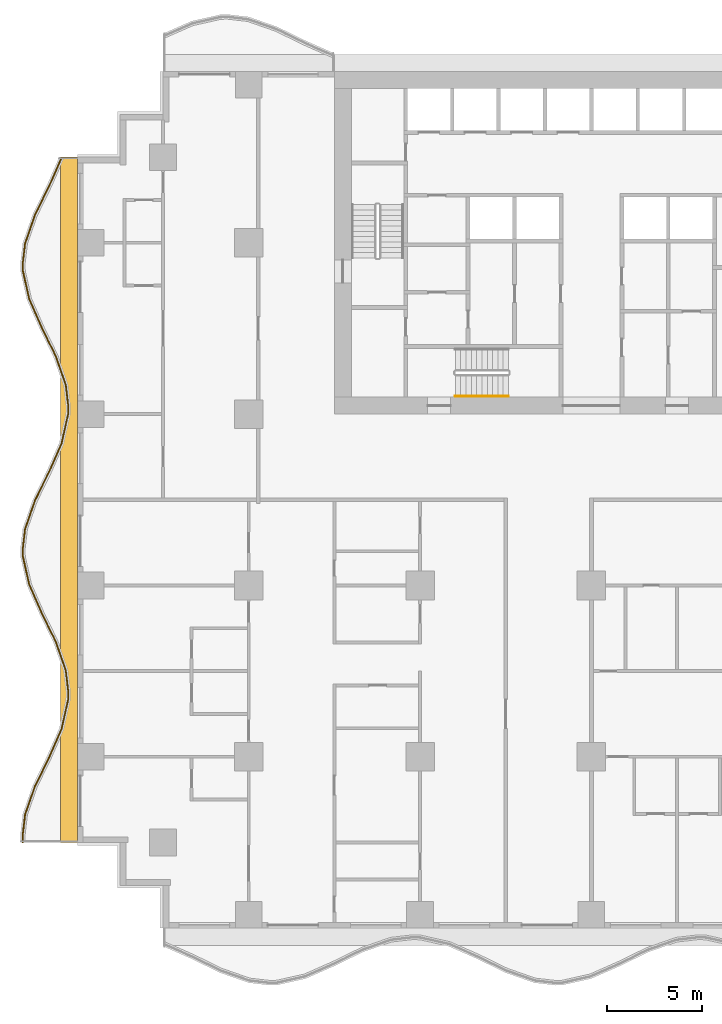
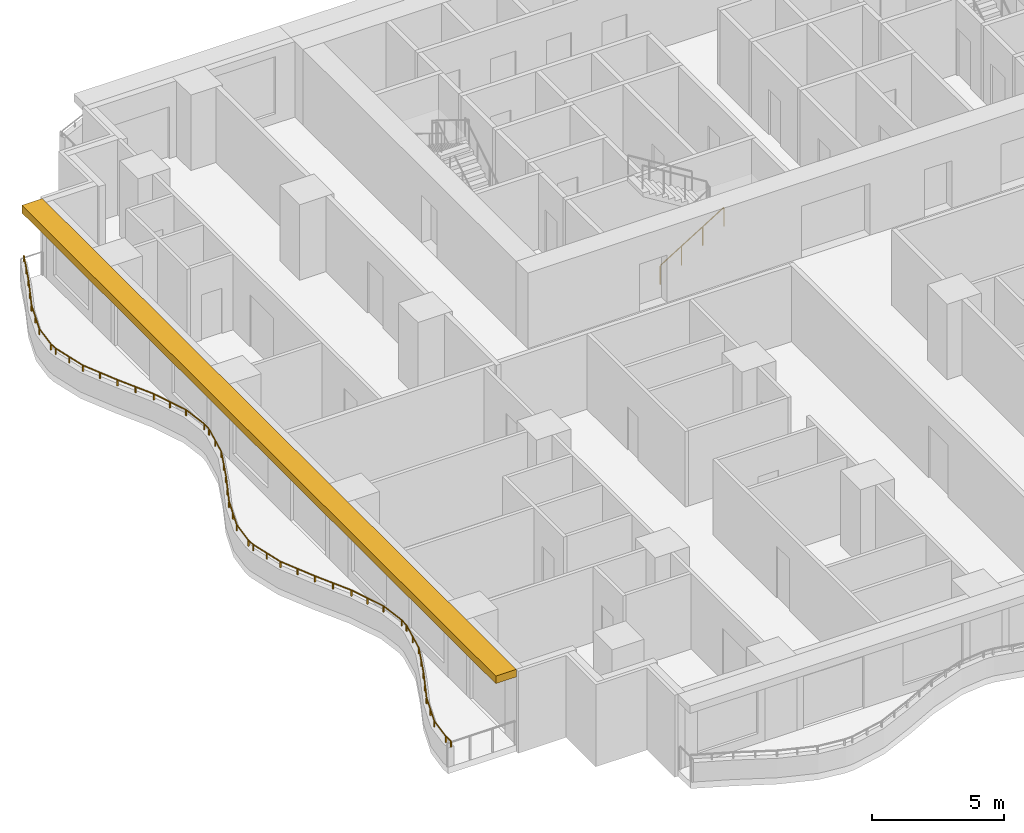
# One storey, part 9 of 14: 2 railings, 1 shading device.
"""IFC4 building model written with IfcOpenShell, lengths in metres."""

from ifc_helpers import new_model, si_unit, direction, frame, origin, origin_2d, place, context, subcontext, project, spatial, polyline, rectangle, circle, outline, extrude, material, layer, layer_set, type_object, element, save


model = new_model("IFC4")

# Units and contexts
model_context = context("Model", 3, precision=1e-05, world=origin(), true_north=direction((0.0, 1.0)))
body_context = subcontext(model_context, "Body", "Model", "MODEL_VIEW")
ifc_project = project(units=[si_unit("LENGTHUNIT", "METRE"), si_unit("AREAUNIT", "SQUARE_METRE"), si_unit("VOLUMEUNIT", "CUBIC_METRE"), si_unit("PLANEANGLEUNIT", "RADIAN"), si_unit("MASSUNIT", "GRAM", prefix="KILO")], contexts=[model_context])

# Site, building, storey
site_placement = place(None, origin())
site = spatial("IfcSite", under=ifc_project, at=site_placement, CompositionType="ELEMENT")
building_placement = place(site_placement, origin())
building = spatial("IfcBuilding", under=site, at=building_placement, Name="Orbiselva Terraces", CompositionType="ELEMENT")
storey_placement = place(building_placement, frame((0.0, 0.0, 41.6)))
storey = spatial("IfcBuildingStorey", under=building, at=storey_placement, Name="L10", CompositionType="ELEMENT", Elevation=41.6)

# Railings
ifc_material_1 = material(Name="Stainless steel", Category="steel")
railing_type_1 = type_object("IfcRailingType", Name="CORE-HANDRAIL-900", PredefinedType="HANDRAIL", material=ifc_material_1)
railing_1_placement = place(storey_placement, frame((-7.15, 5.45, 0.172727)))
element("IfcRailing", 1, at=railing_1_placement, inside=storey, type_object=railing_type_1, Name="L10 S3 stair handrail 1", PredefinedType="HANDRAIL", context=body_context, shape_type="SweptSolid", body=[
    extrude(circle(Radius=0.024, at=origin_2d()), frame((0.0, 0.0, 0.876), z_axis=(0.851088519012, 0.0, 0.52502222125), x_axis=(0.0, 1.0, 0.0)), (0.0, 0.0, 1.0), 3.289905),
    extrude(circle(Radius=0.021, at=origin_2d()), origin(), (0.0, 0.0, 1.0), 0.852),
    extrude(circle(Radius=0.021, at=origin_2d()), frame((0.933333, 0.0, 0.575758)), (0.0, 0.0, 1.0), 0.852),
    extrude(circle(Radius=0.021, at=origin_2d()), frame((1.866667, 0.0, 1.151515)), (0.0, 0.0, 1.0), 0.852),
    extrude(circle(Radius=0.021, at=origin_2d()), frame((2.8, 0.0, 1.727273)), (0.0, 0.0, 1.0), 0.852),
])
ifc_material_2 = material(Name="Bonded two-ply safety glass balustrade, stainless steel posts", Category="steel")
railing_type_2 = type_object("IfcRailingType", Name="ENV-BALUSTRADE-1200", PredefinedType="BALUSTRADE", material=ifc_material_2)
railing_2_placement = place(storey_placement, frame((-27.83708, 17.949606, 0.9)))
element("IfcRailing", 2, at=railing_2_placement, inside=storey, type_object=railing_type_2, Name="Balcony balustrade L10 W", PredefinedType="BALUSTRADE", context=body_context, shape_type="SweptSolid", body=[
    extrude(outline(polyline([(0.028868, 0.0), (0.014434, 0.025), (-0.014434, 0.025), (-0.028868, 0.0), (-0.014434, -0.025), (0.014434, -0.025), (0.028868, 0.0)])), frame((0.0, 0.0, 0.275), z_axis=(-0.403151175476, -0.915133394491, 0.0), x_axis=(0.915133394491, -0.403151175476, 0.0)), (0.0, 0.0, 1.0), 1.641563),
    extrude(outline(polyline([(0.028868, 0.0), (0.014434, 0.025), (-0.014434, 0.025), (-0.028868, 0.0), (-0.014434, -0.025), (0.014434, -0.025), (0.028868, 0.0)])), frame((-0.661798, -1.502249, 0.275), z_axis=(-0.438811978768, -0.89857890432, 0.0), x_axis=(0.89857890432, -0.438811978768, 0.0)), (0.0, 0.0, 1.0), 1.66438),
    extrude(outline(polyline([(0.028868, 0.0), (0.014434, 0.025), (-0.014434, 0.025), (-0.028868, 0.0), (-0.014434, -0.025), (0.014434, -0.025), (0.028868, 0.0)])), frame((-1.392148, -2.997826, 0.275), z_axis=(-0.330024754707, -0.943972277814, 0.0), x_axis=(0.943972277814, -0.330024754707, 0.0)), (0.0, 0.0, 1.0), 1.567807),
    extrude(outline(polyline([(0.028868, 0.0), (0.014434, 0.025), (-0.014434, 0.025), (-0.028868, 0.0), (-0.014434, -0.025), (0.014434, -0.025), (0.028868, 0.0)])), frame((-1.909563, -4.477792, 0.275), z_axis=(-0.115481264762, -0.993309658409, 0.0), x_axis=(0.993309658409, -0.115481264762, 0.0)), (0.0, 0.0, 1.0), 1.10902),
    extrude(outline(polyline([(0.028868, 0.0), (0.014434, 0.025), (-0.014434, 0.025), (-0.028868, 0.0), (-0.014434, -0.025), (0.014434, -0.025), (0.028868, 0.0)])), frame((-2.037634, -5.579392, 0.275), z_axis=(0.039364150694, -0.999224931454, 0.0), x_axis=(0.999224931454, 0.039364150694, 0.0)), (0.0, 0.0, 1.0), 0.354206),
    extrude(outline(polyline([(0.028868, 0.0), (0.014434, 0.025), (-0.014434, 0.025), (-0.028868, 0.0), (-0.014434, -0.025), (0.014434, -0.025), (0.028868, 0.0)])), frame((-2.023691, -5.933323, 0.275), z_axis=(0.219015740235, -0.975721325753, 0.0), x_axis=(0.975721325753, 0.219015740235, 0.0)), (0.0, 0.0, 1.0), 1.513782),
    extrude(outline(polyline([(0.028868, 0.0), (0.014434, 0.025), (-0.014434, 0.025), (-0.028868, 0.0), (-0.014434, -0.025), (0.014434, -0.025), (0.028868, 0.0)])), frame((-1.692149, -7.410352, 0.275), z_axis=(0.403151245402, -0.915133363686, 0.0), x_axis=(0.915133363686, 0.403151245402, 0.0)), (0.0, 0.0, 1.0), 1.624475),
    extrude(outline(polyline([(0.028868, 0.0), (0.014434, 0.025), (-0.014434, 0.025), (-0.028868, 0.0), (-0.014434, -0.025), (0.014434, -0.025), (0.028868, 0.0)])), frame((-1.03724, -8.896963, 0.275), z_axis=(0.438812048596, -0.898578870221, 0.0), x_axis=(0.898578870221, 0.438812048596, 0.0)), (0.0, 0.0, 1.0), 1.674225),
    extrude(outline(polyline([(0.028868, 0.0), (0.014434, 0.025), (-0.014434, 0.025), (-0.028868, 0.0), (-0.014434, -0.025), (0.014434, -0.025), (0.028868, 0.0)])), frame((-0.30257, -10.401386, 0.275), z_axis=(0.330024597479, -0.943972332783, 0.0), x_axis=(0.943972332783, 0.330024597479, 0.0)), (0.0, 0.0, 1.0), 1.610253),
    extrude(outline(polyline([(0.028868, 0.0), (0.014434, 0.025), (-0.014434, 0.025), (-0.028868, 0.0), (-0.014434, -0.025), (0.014434, -0.025), (0.028868, 0.0)])), frame((0.228853, -11.92142, 0.275), z_axis=(0.115482182324, -0.993309551734, 0.0), x_axis=(0.993309551734, 0.115482182324, 0.0)), (0.0, 0.0, 1.0), 1.156135),
    extrude(outline(polyline([(0.028868, 0.0), (0.014434, 0.025), (-0.014434, 0.025), (-0.028868, 0.0), (-0.014434, -0.025), (0.014434, -0.025), (0.028868, 0.0)])), frame((0.362366, -13.06982, 0.275), z_axis=(-0.03936915532, -0.999224734286, 0.0), x_axis=(0.999224734286, -0.03936915532, 0.0)), (0.0, 0.0, 1.0), 0.396376),
    extrude(outline(polyline([(0.028868, 0.0), (0.014434, 0.025), (-0.014434, 0.025), (-0.028868, 0.0), (-0.014434, -0.025), (0.014434, -0.025), (0.028868, 0.0)])), frame((0.346761, -13.465889, 0.275), z_axis=(-0.219015500924, -0.97572137947, 0.0), x_axis=(0.97572137947, -0.219015500924, 0.0)), (0.0, 0.0, 1.0), 1.560867),
    extrude(outline(polyline([(0.028868, 0.0), (0.014434, 0.025), (-0.014434, 0.025), (-0.028868, 0.0), (-0.014434, -0.025), (0.014434, -0.025), (0.028868, 0.0)])), frame((0.004907, -14.98886, 0.275), z_axis=(-0.403150874148, -0.915133527237, 0.0), x_axis=(0.915133527237, -0.403150874148, 0.0)), (0.0, 0.0, 1.0), 1.653736),
    extrude(outline(polyline([(0.028868, 0.0), (0.014434, 0.025), (-0.014434, 0.025), (-0.028868, 0.0), (-0.014434, -0.025), (0.014434, -0.025), (0.028868, 0.0)])), frame((-0.661798, -16.502249, 0.275), z_axis=(-0.438811978768, -0.89857890432, 0.0), x_axis=(0.89857890432, -0.438811978768, 0.0)), (0.0, 0.0, 1.0), 1.66438),
    extrude(outline(polyline([(0.028868, 0.0), (0.014434, 0.025), (-0.014434, 0.025), (-0.028868, 0.0), (-0.014434, -0.025), (0.014434, -0.025), (0.028868, 0.0)])), frame((-1.392148, -17.997826, 0.275), z_axis=(-0.330024754707, -0.943972277814, 0.0), x_axis=(0.943972277814, -0.330024754707, 0.0)), (0.0, 0.0, 1.0), 1.567807),
    extrude(outline(polyline([(0.028868, 0.0), (0.014434, 0.025), (-0.014434, 0.025), (-0.028868, 0.0), (-0.014434, -0.025), (0.014434, -0.025), (0.028868, 0.0)])), frame((-1.909563, -19.477792, 0.275), z_axis=(-0.115481264762, -0.993309658409, 0.0), x_axis=(0.993309658409, -0.115481264762, 0.0)), (0.0, 0.0, 1.0), 1.10902),
    extrude(outline(polyline([(0.028868, 0.0), (0.014434, 0.025), (-0.014434, 0.025), (-0.028868, 0.0), (-0.014434, -0.025), (0.014434, -0.025), (0.028868, 0.0)])), frame((-2.037634, -20.579392, 0.275), z_axis=(0.039364150694, -0.999224931454, 0.0), x_axis=(0.999224931454, 0.039364150694, 0.0)), (0.0, 0.0, 1.0), 0.354206),
    extrude(outline(polyline([(0.028868, 0.0), (0.014434, 0.025), (-0.014434, 0.025), (-0.028868, 0.0), (-0.014434, -0.025), (0.014434, -0.025), (0.028868, 0.0)])), frame((-2.023691, -20.933323, 0.275), z_axis=(0.219015740235, -0.975721325753, 0.0), x_axis=(0.975721325753, 0.219015740235, 0.0)), (0.0, 0.0, 1.0), 1.513782),
    extrude(outline(polyline([(0.028868, 0.0), (0.014434, 0.025), (-0.014434, 0.025), (-0.028868, 0.0), (-0.014434, -0.025), (0.014434, -0.025), (0.028868, 0.0)])), frame((-1.692149, -22.410352, 0.275), z_axis=(0.403151245402, -0.915133363686, 0.0), x_axis=(0.915133363686, 0.403151245402, 0.0)), (0.0, 0.0, 1.0), 1.624475),
    extrude(outline(polyline([(0.028868, 0.0), (0.014434, 0.025), (-0.014434, 0.025), (-0.028868, 0.0), (-0.014434, -0.025), (0.014434, -0.025), (0.028868, 0.0)])), frame((-1.03724, -23.896963, 0.275), z_axis=(0.438812048596, -0.898578870221, 0.0), x_axis=(0.898578870221, 0.438812048596, 0.0)), (0.0, 0.0, 1.0), 1.674225),
    extrude(outline(polyline([(0.028868, 0.0), (0.014434, 0.025), (-0.014434, 0.025), (-0.028868, 0.0), (-0.014434, -0.025), (0.014434, -0.025), (0.028868, 0.0)])), frame((-0.30257, -25.401386, 0.275), z_axis=(0.330024597479, -0.943972332783, 0.0), x_axis=(0.943972332783, 0.330024597479, 0.0)), (0.0, 0.0, 1.0), 1.610253),
    extrude(outline(polyline([(0.028868, 0.0), (0.014434, 0.025), (-0.014434, 0.025), (-0.028868, 0.0), (-0.014434, -0.025), (0.014434, -0.025), (0.028868, 0.0)])), frame((0.228853, -26.92142, 0.275), z_axis=(0.115482182324, -0.993309551734, 0.0), x_axis=(0.993309551734, 0.115482182324, 0.0)), (0.0, 0.0, 1.0), 1.156135),
    extrude(outline(polyline([(0.028868, 0.0), (0.014434, 0.025), (-0.014434, 0.025), (-0.028868, 0.0), (-0.014434, -0.025), (0.014434, -0.025), (0.028868, 0.0)])), frame((0.362366, -28.06982, 0.275), z_axis=(-0.03936915532, -0.999224734286, 0.0), x_axis=(0.999224734286, -0.03936915532, 0.0)), (0.0, 0.0, 1.0), 0.396376),
    extrude(outline(polyline([(0.028868, 0.0), (0.014434, 0.025), (-0.014434, 0.025), (-0.028868, 0.0), (-0.014434, -0.025), (0.014434, -0.025), (0.028868, 0.0)])), frame((0.346761, -28.465889, 0.275), z_axis=(-0.219015500924, -0.97572137947, 0.0), x_axis=(0.97572137947, -0.219015500924, 0.0)), (0.0, 0.0, 1.0), 1.560867),
    extrude(outline(polyline([(0.028868, 0.0), (0.014434, 0.025), (-0.014434, 0.025), (-0.028868, 0.0), (-0.014434, -0.025), (0.014434, -0.025), (0.028868, 0.0)])), frame((0.004907, -29.98886, 0.275), z_axis=(-0.403150874148, -0.915133527237, 0.0), x_axis=(0.915133527237, -0.403150874148, 0.0)), (0.0, 0.0, 1.0), 1.653736),
    extrude(outline(polyline([(0.028868, 0.0), (0.014434, 0.025), (-0.014434, 0.025), (-0.028868, 0.0), (-0.014434, -0.025), (0.014434, -0.025), (0.028868, 0.0)])), frame((-0.661798, -31.502249, 0.275), z_axis=(-0.438811978768, -0.89857890432, 0.0), x_axis=(0.89857890432, -0.438811978768, 0.0)), (0.0, 0.0, 1.0), 1.66438),
    extrude(outline(polyline([(0.028868, 0.0), (0.014434, 0.025), (-0.014434, 0.025), (-0.028868, 0.0), (-0.014434, -0.025), (0.014434, -0.025), (0.028868, 0.0)])), frame((-1.392148, -32.997826, 0.275), z_axis=(-0.330024754707, -0.943972277814, 0.0), x_axis=(0.943972277814, -0.330024754707, 0.0)), (0.0, 0.0, 1.0), 1.567807),
    extrude(outline(polyline([(0.028868, 0.0), (0.014434, 0.025), (-0.014434, 0.025), (-0.028868, 0.0), (-0.014434, -0.025), (0.014434, -0.025), (0.028868, 0.0)])), frame((-1.909563, -34.477792, 0.275), z_axis=(-0.115481264762, -0.993309658409, 0.0), x_axis=(0.993309658409, -0.115481264762, 0.0)), (0.0, 0.0, 1.0), 1.10902),
    extrude(outline(polyline([(0.028868, 0.0), (0.014434, 0.025), (-0.014434, 0.025), (-0.028868, 0.0), (-0.014434, -0.025), (0.014434, -0.025), (0.028868, 0.0)])), frame((-2.037634, -35.579392, 0.275), z_axis=(0.039365236599, -0.999224888675, 0.0), x_axis=(0.999224888675, 0.039365236599, 0.0)), (0.0, 0.0, 1.0), 0.365576),
    extrude(rectangle(XDim=0.05, YDim=0.05, at=origin_2d()), origin(), (0.0, 0.0, 1.0), 0.25),
    extrude(rectangle(XDim=0.05, YDim=0.05, at=origin_2d()), frame((-0.330899, -0.751124, 0.0)), (0.0, 0.0, 1.0), 0.25),
    extrude(rectangle(XDim=0.05, YDim=0.05, at=origin_2d()), frame((-0.661798, -1.502249, 0.0)), (0.0, 0.0, 1.0), 0.25),
    extrude(rectangle(XDim=0.05, YDim=0.05, at=origin_2d()), frame((-1.026973, -2.250037, 0.0)), (0.0, 0.0, 1.0), 0.25),
    extrude(rectangle(XDim=0.05, YDim=0.05, at=origin_2d()), frame((-1.392148, -2.997826, 0.0)), (0.0, 0.0, 1.0), 0.25),
    extrude(rectangle(XDim=0.05, YDim=0.05, at=origin_2d()), frame((-1.650855, -3.737809, 0.0)), (0.0, 0.0, 1.0), 0.25),
    extrude(rectangle(XDim=0.05, YDim=0.05, at=origin_2d()), frame((-1.909563, -4.477792, 0.0)), (0.0, 0.0, 1.0), 0.25),
    extrude(rectangle(XDim=0.05, YDim=0.05, at=origin_2d()), frame((-2.037634, -5.579392, 0.0)), (0.0, 0.0, 1.0), 0.25),
    extrude(rectangle(XDim=0.05, YDim=0.05, at=origin_2d()), frame((-2.023691, -5.933323, 0.0)), (0.0, 0.0, 1.0), 0.25),
    extrude(rectangle(XDim=0.05, YDim=0.05, at=origin_2d()), frame((-1.85792, -6.671838, 0.0)), (0.0, 0.0, 1.0), 0.25),
    extrude(rectangle(XDim=0.05, YDim=0.05, at=origin_2d()), frame((-1.692149, -7.410352, 0.0)), (0.0, 0.0, 1.0), 0.25),
    extrude(rectangle(XDim=0.05, YDim=0.05, at=origin_2d()), frame((-1.364695, -8.153658, 0.0)), (0.0, 0.0, 1.0), 0.25),
    extrude(rectangle(XDim=0.05, YDim=0.05, at=origin_2d()), frame((-1.03724, -8.896963, 0.0)), (0.0, 0.0, 1.0), 0.25),
    extrude(rectangle(XDim=0.05, YDim=0.05, at=origin_2d()), frame((-0.669905, -9.649174, 0.0)), (0.0, 0.0, 1.0), 0.25),
    extrude(rectangle(XDim=0.05, YDim=0.05, at=origin_2d()), frame((-0.30257, -10.401386, 0.0)), (0.0, 0.0, 1.0), 0.25),
    extrude(rectangle(XDim=0.05, YDim=0.05, at=origin_2d()), frame((-0.036858, -11.161403, 0.0)), (0.0, 0.0, 1.0), 0.25),
    extrude(rectangle(XDim=0.05, YDim=0.05, at=origin_2d()), frame((0.228853, -11.92142, 0.0)), (0.0, 0.0, 1.0), 0.25),
    extrude(rectangle(XDim=0.05, YDim=0.05, at=origin_2d()), frame((0.362366, -13.06982, 0.0)), (0.0, 0.0, 1.0), 0.25),
    extrude(rectangle(XDim=0.05, YDim=0.05, at=origin_2d()), frame((0.346761, -13.465889, 0.0)), (0.0, 0.0, 1.0), 0.25),
    extrude(rectangle(XDim=0.05, YDim=0.05, at=origin_2d()), frame((0.175834, -14.227374, 0.0)), (0.0, 0.0, 1.0), 0.25),
    extrude(rectangle(XDim=0.05, YDim=0.05, at=origin_2d()), frame((0.004907, -14.98886, 0.0)), (0.0, 0.0, 1.0), 0.25),
    extrude(rectangle(XDim=0.05, YDim=0.05, at=origin_2d()), frame((-0.328446, -15.745554, 0.0)), (0.0, 0.0, 1.0), 0.25),
    extrude(rectangle(XDim=0.05, YDim=0.05, at=origin_2d()), frame((-0.661798, -16.502249, 0.0)), (0.0, 0.0, 1.0), 0.25),
    extrude(rectangle(XDim=0.05, YDim=0.05, at=origin_2d()), frame((-1.026973, -17.250037, 0.0)), (0.0, 0.0, 1.0), 0.25),
    extrude(rectangle(XDim=0.05, YDim=0.05, at=origin_2d()), frame((-1.392148, -17.997826, 0.0)), (0.0, 0.0, 1.0), 0.25),
    extrude(rectangle(XDim=0.05, YDim=0.05, at=origin_2d()), frame((-1.650855, -18.737809, 0.0)), (0.0, 0.0, 1.0), 0.25),
    extrude(rectangle(XDim=0.05, YDim=0.05, at=origin_2d()), frame((-1.909563, -19.477792, 0.0)), (0.0, 0.0, 1.0), 0.25),
    extrude(rectangle(XDim=0.05, YDim=0.05, at=origin_2d()), frame((-2.037634, -20.579392, 0.0)), (0.0, 0.0, 1.0), 0.25),
    extrude(rectangle(XDim=0.05, YDim=0.05, at=origin_2d()), frame((-2.023691, -20.933323, 0.0)), (0.0, 0.0, 1.0), 0.25),
    extrude(rectangle(XDim=0.05, YDim=0.05, at=origin_2d()), frame((-1.85792, -21.671838, 0.0)), (0.0, 0.0, 1.0), 0.25),
    extrude(rectangle(XDim=0.05, YDim=0.05, at=origin_2d()), frame((-1.692149, -22.410352, 0.0)), (0.0, 0.0, 1.0), 0.25),
    extrude(rectangle(XDim=0.05, YDim=0.05, at=origin_2d()), frame((-1.364695, -23.153658, 0.0)), (0.0, 0.0, 1.0), 0.25),
    extrude(rectangle(XDim=0.05, YDim=0.05, at=origin_2d()), frame((-1.03724, -23.896963, 0.0)), (0.0, 0.0, 1.0), 0.25),
    extrude(rectangle(XDim=0.05, YDim=0.05, at=origin_2d()), frame((-0.669905, -24.649174, 0.0)), (0.0, 0.0, 1.0), 0.25),
    extrude(rectangle(XDim=0.05, YDim=0.05, at=origin_2d()), frame((-0.30257, -25.401386, 0.0)), (0.0, 0.0, 1.0), 0.25),
    extrude(rectangle(XDim=0.05, YDim=0.05, at=origin_2d()), frame((-0.036858, -26.161403, 0.0)), (0.0, 0.0, 1.0), 0.25),
    extrude(rectangle(XDim=0.05, YDim=0.05, at=origin_2d()), frame((0.228853, -26.92142, 0.0)), (0.0, 0.0, 1.0), 0.25),
    extrude(rectangle(XDim=0.05, YDim=0.05, at=origin_2d()), frame((0.362366, -28.06982, 0.0)), (0.0, 0.0, 1.0), 0.25),
    extrude(rectangle(XDim=0.05, YDim=0.05, at=origin_2d()), frame((0.346761, -28.465889, 0.0)), (0.0, 0.0, 1.0), 0.25),
    extrude(rectangle(XDim=0.05, YDim=0.05, at=origin_2d()), frame((0.175834, -29.227374, 0.0)), (0.0, 0.0, 1.0), 0.25),
    extrude(rectangle(XDim=0.05, YDim=0.05, at=origin_2d()), frame((0.004907, -29.98886, 0.0)), (0.0, 0.0, 1.0), 0.25),
    extrude(rectangle(XDim=0.05, YDim=0.05, at=origin_2d()), frame((-0.328446, -30.745554, 0.0)), (0.0, 0.0, 1.0), 0.25),
    extrude(rectangle(XDim=0.05, YDim=0.05, at=origin_2d()), frame((-0.661798, -31.502249, 0.0)), (0.0, 0.0, 1.0), 0.25),
    extrude(rectangle(XDim=0.05, YDim=0.05, at=origin_2d()), frame((-1.026973, -32.250038, 0.0)), (0.0, 0.0, 1.0), 0.25),
    extrude(rectangle(XDim=0.05, YDim=0.05, at=origin_2d()), frame((-1.392148, -32.997826, 0.0)), (0.0, 0.0, 1.0), 0.25),
    extrude(rectangle(XDim=0.05, YDim=0.05, at=origin_2d()), frame((-1.650855, -33.737809, 0.0)), (0.0, 0.0, 1.0), 0.25),
    extrude(rectangle(XDim=0.05, YDim=0.05, at=origin_2d()), frame((-1.909563, -34.477792, 0.0)), (0.0, 0.0, 1.0), 0.25),
    extrude(rectangle(XDim=0.05, YDim=0.05, at=origin_2d()), frame((-2.037634, -35.579392, 0.0)), (0.0, 0.0, 1.0), 0.25),
    extrude(rectangle(XDim=0.05, YDim=0.05, at=origin_2d()), frame((-2.023243, -35.944685, 0.0)), (0.0, 0.0, 1.0), 0.25),
])

# Shading device
ifc_material_3 = material(Name="Terracotta baguette sunshade", Category="masonry")
ifc_layer = layer(ifc_material_3, 0.35)
ifc_layer_set = layer_set([ifc_layer], Name="Terracotta baguette sunshade")
shading_device_type = type_object("IfcShadingDeviceType", Name="ENV-SUNSHADE-900x350", PredefinedType="USERDEFINED", material=ifc_layer_set)
shading_device_placement = place(storey_placement, frame((0.0, 0.0, 3.15)))
element("IfcShadingDevice", 3, at=shading_device_placement, inside=storey, type_object=shading_device_type, Name="Sunshade band L10 W", ObjectType="SUNSHADE", PredefinedType="USERDEFINED", context=body_context, shape_type="SweptSolid", body=[
    extrude(outline(polyline([(-27.9, 18.0), (-27.9, -18.0), (-27.0, -18.0), (-27.0, 18.0), (-27.9, 18.0)])), origin(), (0.0, 0.0, 1.0), 0.35),
])

save(model, "model.ifc")
